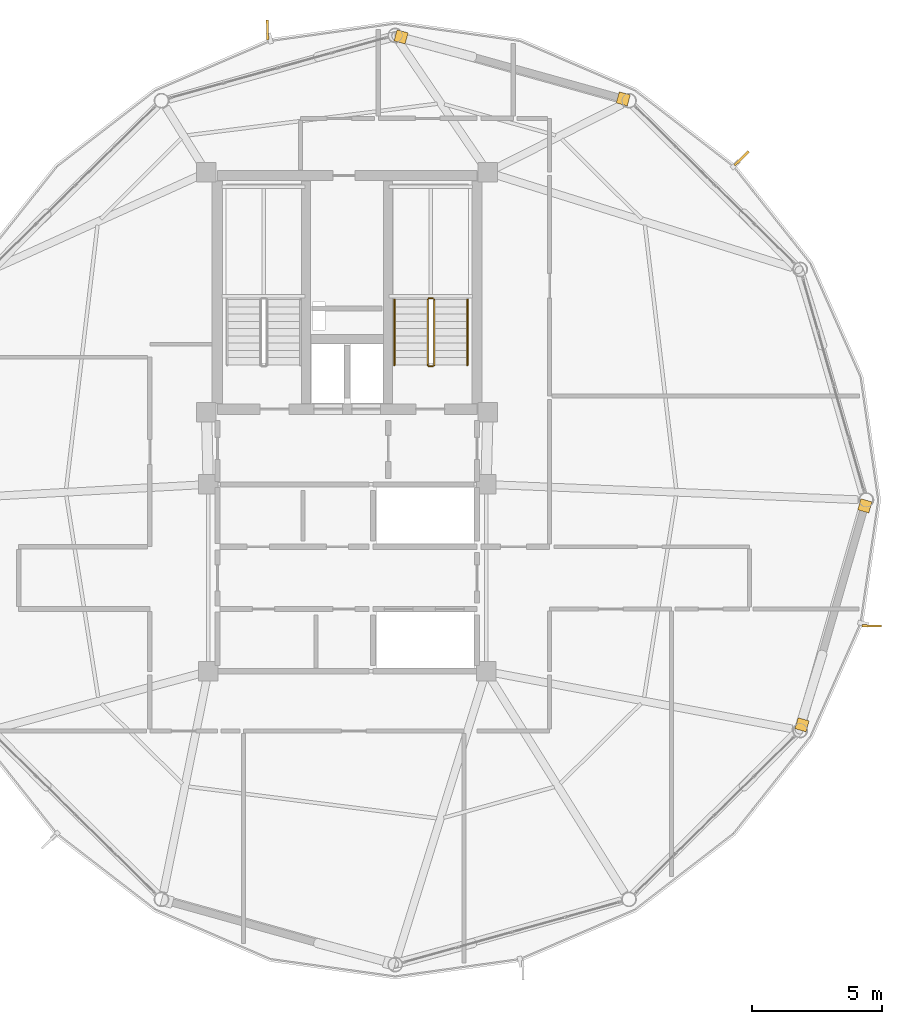
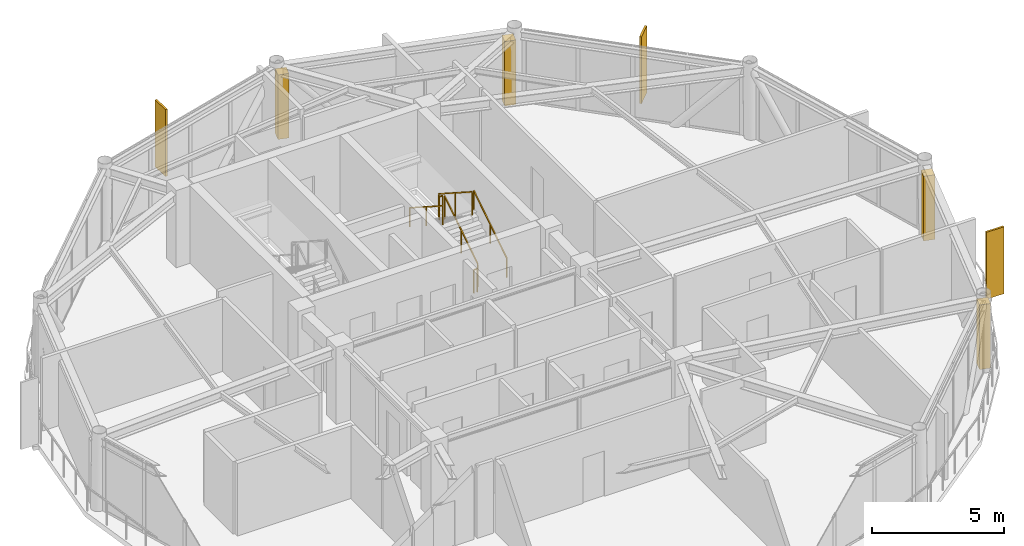
# One storey, part 26 of 26: 6 railings, 4 coverings, 3 shading devices.
"""IFC4 building model written with IfcOpenShell, lengths in metres."""

from ifc_helpers import new_model, si_unit, direction, frame, origin, origin_2d, place, context, subcontext, project, spatial, rectangle, extrude, source, transform, mapped, material, layer, layer_set, type_object, type_shapes, element, save


model = new_model("IFC4")

# Units and contexts
model_context = context("Model", 3, precision=1e-05, world=origin(), true_north=direction((0.0, 1.0)))
body_context = subcontext(model_context, "Body", "Model", "MODEL_VIEW")
ifc_project = project(units=[si_unit("LENGTHUNIT", "METRE"), si_unit("AREAUNIT", "SQUARE_METRE"), si_unit("VOLUMEUNIT", "CUBIC_METRE"), si_unit("PLANEANGLEUNIT", "RADIAN"), si_unit("MASSUNIT", "GRAM", prefix="KILO")], contexts=[model_context])

# Site, building, storey
site_placement = place(None, origin())
site = spatial("IfcSite", under=ifc_project, at=site_placement, CompositionType="ELEMENT")
building_placement = place(site_placement, origin())
building = spatial("IfcBuilding", under=site, at=building_placement, Name="Varnakorn Sky Granary", CompositionType="ELEMENT")
storey_placement = place(building_placement, frame((0.0, 0.0, 267.0)))
storey = spatial("IfcBuildingStorey", under=building, at=storey_placement, Name="L68", CompositionType="ELEMENT", Elevation=267.0)

# Railings
ifc_material_1 = material(Name="Brushed Stainless Steel 316", Category="steel")
railing_type_1 = type_object("IfcRailingType", Name="RL-STAIR-1100", PredefinedType="GUARDRAIL", material=ifc_material_1)
railing_1_placement = place(storey_placement, frame((6.35009765625, 5.199951171875, 0.179931640625)))
element("IfcRailing", 1, at=railing_1_placement, inside=storey, type_object=railing_type_1, Name="L68 ST-2 stair guard 1", PredefinedType="GUARDRAIL", context=body_context, shape_type="SweptSolid", body=[
    extrude(rectangle(XDim=0.048095703125, YDim=0.048095703125, at=origin_2d()), frame((0.0, 0.0, 1.076171875), z_axis=(0.0, 0.841162588446, 0.540782303519), x_axis=(-1.0, 0.0, 0.0)), (0.0, 0.0, 1.0), 2.995849609375),
    extrude(rectangle(XDim=0.0419921875, YDim=0.0419921875, at=origin_2d()), origin(), (0.0, 0.0, 1.0), 1.048095703125),
    extrude(rectangle(XDim=0.0419921875, YDim=0.0419921875, at=origin_2d()), frame((0.0, 1.260009765625, 0.81005859375)), (0.0, 0.0, 1.0), 1.048095703125),
    extrude(rectangle(XDim=0.0419921875, YDim=0.0419921875, at=origin_2d()), frame((0.0, 2.52001953125, 1.6201171875)), (0.0, 0.0, 1.0), 1.048095703125),
])
railing_2_placement = place(storey_placement, frame((6.300048828125, 7.77001953125, 1.800048828125)))
element("IfcRailing", 2, at=railing_2_placement, inside=storey, type_object=railing_type_1, Name="L68 ST-2 stair guard 2", PredefinedType="GUARDRAIL", context=body_context, shape_type="SweptSolid", body=[
    extrude(rectangle(XDim=0.048095703125, YDim=0.048095703125, at=origin_2d()), frame((0.0, 0.0, 1.076171875), z_axis=(-1.0, 0.0, 0.0), x_axis=(0.0, -1.0, 0.0)), (0.0, 0.0, 1.0), 0.150146484375),
    extrude(rectangle(XDim=0.0419921875, YDim=0.0419921875, at=origin_2d()), origin(), (0.0, 0.0, 1.0), 1.048095703125),
    extrude(rectangle(XDim=0.0419921875, YDim=0.0419921875, at=origin_2d()), frame((-0.150146484375, 0.0, 0.0)), (0.0, 0.0, 1.0), 1.048095703125),
])
railing_3_placement = place(storey_placement, frame((6.10009765625, 7.719970703125, 1.97998046875)))
element("IfcRailing", 3, at=railing_3_placement, inside=storey, type_object=railing_type_1, Name="L68 ST-2 stair guard 3", PredefinedType="GUARDRAIL", context=body_context, shape_type="SweptSolid", body=[
    extrude(rectangle(XDim=0.048095703125, YDim=0.048095703125, at=origin_2d()), frame((0.0, 0.0, 1.076171875), z_axis=(0.0, -0.841162588446, 0.540782303519), x_axis=(1.0, 0.0, 0.0)), (0.0, 0.0, 1.0), 2.995849609375),
    extrude(rectangle(XDim=0.0419921875, YDim=0.0419921875, at=origin_2d()), origin(), (0.0, 0.0, 1.0), 1.048095703125),
    extrude(rectangle(XDim=0.0419921875, YDim=0.0419921875, at=origin_2d()), frame((0.0, -1.260009765625, 0.81005859375)), (0.0, 0.0, 1.0), 1.048095703125),
    extrude(rectangle(XDim=0.0419921875, YDim=0.0419921875, at=origin_2d()), frame((0.0, -2.52001953125, 1.6201171875)), (0.0, 0.0, 1.0), 1.048095703125),
])
railing_4_placement = place(storey_placement, frame((6.300048828125, 5.14990234375, 0.0)))
element("IfcRailing", 4, at=railing_4_placement, inside=storey, type_object=railing_type_1, Name="L68 ST-2 stair guard 4", PredefinedType="GUARDRAIL", context=body_context, shape_type="SweptSolid", body=[
    extrude(rectangle(XDim=0.048095703125, YDim=0.048095703125, at=origin_2d()), frame((0.0, 0.0, 1.076171875), z_axis=(-1.0, 0.0, 0.0), x_axis=(0.0, -1.0, 0.0)), (0.0, 0.0, 1.0), 0.150146484375),
    extrude(rectangle(XDim=0.0419921875, YDim=0.0419921875, at=origin_2d()), origin(), (0.0, 0.0, 1.0), 1.048095703125),
    extrude(rectangle(XDim=0.0419921875, YDim=0.0419921875, at=origin_2d()), frame((-0.150146484375, 0.0, 0.0)), (0.0, 0.0, 1.0), 1.048095703125),
])
railing_type_2 = type_object("IfcRailingType", Name="RL-STAIR-920", PredefinedType="HANDRAIL", material=ifc_material_1)
railing_5_placement = place(storey_placement, frame((7.6298828125, 5.199951171875, 0.179931640625)))
element("IfcRailing", 5, at=railing_5_placement, inside=storey, type_object=railing_type_2, Name="L68 ST-2 stair handrail 1", PredefinedType="HANDRAIL", context=body_context, shape_type="SweptSolid", body=[
    extrude(rectangle(XDim=0.048095703125, YDim=0.048095703125, at=origin_2d()), frame((0.0, 0.0, 0.8759765625), z_axis=(0.0, 0.841162588446, 0.540782303519), x_axis=(-1.0, 0.0, 0.0)), (0.0, 0.0, 1.0), 2.995849609375),
    extrude(rectangle(XDim=0.0419921875, YDim=0.0419921875, at=origin_2d()), origin(), (0.0, 0.0, 1.0), 0.847900390625),
    extrude(rectangle(XDim=0.0419921875, YDim=0.0419921875, at=origin_2d()), frame((0.0, 1.260009765625, 0.81005859375)), (0.0, 0.0, 1.0), 0.847900390625),
    extrude(rectangle(XDim=0.0419921875, YDim=0.0419921875, at=origin_2d()), frame((0.0, 2.52001953125, 1.6201171875)), (0.0, 0.0, 1.0), 0.847900390625),
])
railing_6_placement = place(storey_placement, frame((4.820068359375, 7.719970703125, 1.97998046875)))
element("IfcRailing", 6, at=railing_6_placement, inside=storey, type_object=railing_type_2, Name="L68 ST-2 stair handrail 2", PredefinedType="HANDRAIL", context=body_context, shape_type="SweptSolid", body=[
    extrude(rectangle(XDim=0.048095703125, YDim=0.048095703125, at=origin_2d()), frame((0.0, 0.0, 0.8759765625), z_axis=(0.0, -0.841162588446, 0.540782303519), x_axis=(1.0, 0.0, 0.0)), (0.0, 0.0, 1.0), 2.995849609375),
    extrude(rectangle(XDim=0.0419921875, YDim=0.0419921875, at=origin_2d()), origin(), (0.0, 0.0, 1.0), 0.847900390625),
    extrude(rectangle(XDim=0.0419921875, YDim=0.0419921875, at=origin_2d()), frame((0.0, -1.260009765625, 0.81005859375)), (0.0, 0.0, 1.0), 0.847900390625),
    extrude(rectangle(XDim=0.0419921875, YDim=0.0419921875, at=origin_2d()), frame((0.0, -2.52001953125, 1.6201171875)), (0.0, 0.0, 1.0), 0.847900390625),
])

# Coverings
ifc_material_2 = material(Name="Anodised Bronze Aluminium Alloy 6063-T6", Category="aluminium")
ifc_layer = layer(ifc_material_2, 0.050048828125, Name="Anodised Bronze Aluminium Alloy 6063-T6")
ifc_layer_set = layer_set([ifc_layer], Name="Anodised Bronze Aluminium Alloy 6063-T6")
covering_type = type_object("IfcCoveringType", Name="CV-CLAD-50", PredefinedType="CLADDING", material=ifc_layer_set)
shared_shape_1 = source(origin(), body_context, "Body", "SweptSolid", [
    extrude(rectangle(XDim=0.43994140625, YDim=0.43994140625, at=origin_2d()), origin(), (0.0, 0.0, 1.0), 2.989990234375),
])
type_shapes(covering_type, [shared_shape_1])
for number, where, z_axis, x_axis, name in (
    (7, (5.075927734375, 17.83984375, -0.02001953125), (0.0, 0.0, 1.0), (0.963162566798, -0.268919820615, 0.0), "Bronze Corner Pilaster Closure L68-P03-A"),
    (8, (13.634521484375, 15.45068359375, -0.02001953125), (0.0, 0.0, 1.0), (0.963162566798, -0.268919820615, 0.0), "Bronze Corner Pilaster Closure L68-P03-B"),
    (9, (22.94140625, -0.225341796875, -0.02001953125), (0.0, 0.0, 1.0), (-0.275805123434, -0.961213573504, 0.0), "Bronze Corner Pilaster Closure L68-P12-A"),
    (10, (20.521240234375, -8.65869140625, -0.02001953125), (0.0, 0.0, 1.0), (-0.275805123434, -0.961213573504, 0.0), "Bronze Corner Pilaster Closure L68-P12-B"),
):
    element("IfcCovering", number, at=place(storey_placement, frame(where, z_axis=z_axis, x_axis=x_axis)), inside=storey, type_object=covering_type, Name=name, PredefinedType="CLADDING", context=body_context, shape_type="MappedRepresentation", body=[
        mapped(shared_shape_1, transform((0.0, 0.0, 0.0), x_axis=(1.0, 0.0, 0.0), y_axis=(0.0, 1.0, 0.0), z_axis=(0.0, 0.0, 1.0), scale=1.0)),
    ])

# Shading devices
shading_device_type = type_object("IfcShadingDeviceType", Name="SH-FIN-03", PredefinedType="USERDEFINED", material=ifc_material_2)
shared_shape_2 = source(origin(), body_context, "Body", "SweptSolid", [
    extrude(rectangle(XDim=0.0849609375, YDim=0.760009765625, at=origin_2d()), origin(), (0.0, 0.0, 1.0), 3.10009765625),
])
type_shapes(shading_device_type, [shared_shape_2])
for number, where, z_axis, x_axis, name in (
    (11, (18.1923828125, 13.1591796875, -0.0400390625), (0.0, 0.0, 1.0), (-0.704942993491, 0.709263967735, 0.0), "Bronze Solar-Tracking Vertical Blade FIN L68-02"),
    (12, (-0.0693359375, 18.10888671875, -0.0400390625), (0.0, 0.0, 1.0), (-0.99970265095, -0.024384619817, 0.0), "Bronze Solar-Tracking Vertical Blade FIN L68-04"),
    (13, (23.203857421875, -4.850830078125, -0.0400390625), (0.0, 0.0, 1.0), (0.015598214475, 0.999878340452, 0.0), "Bronze Solar-Tracking Vertical Blade FIN L68-12"),
):
    element("IfcShadingDevice", number, at=place(storey_placement, frame(where, z_axis=z_axis, x_axis=x_axis)), inside=storey, type_object=shading_device_type, Name=name, ObjectType="FIN", PredefinedType="USERDEFINED", context=body_context, shape_type="MappedRepresentation", body=[
        mapped(shared_shape_2, transform((0.0, 0.0, 0.0), x_axis=(1.0, 0.0, 0.0), y_axis=(0.0, 1.0, 0.0), z_axis=(0.0, 0.0, 1.0), scale=1.0)),
    ])

save(model, "model.ifc")
